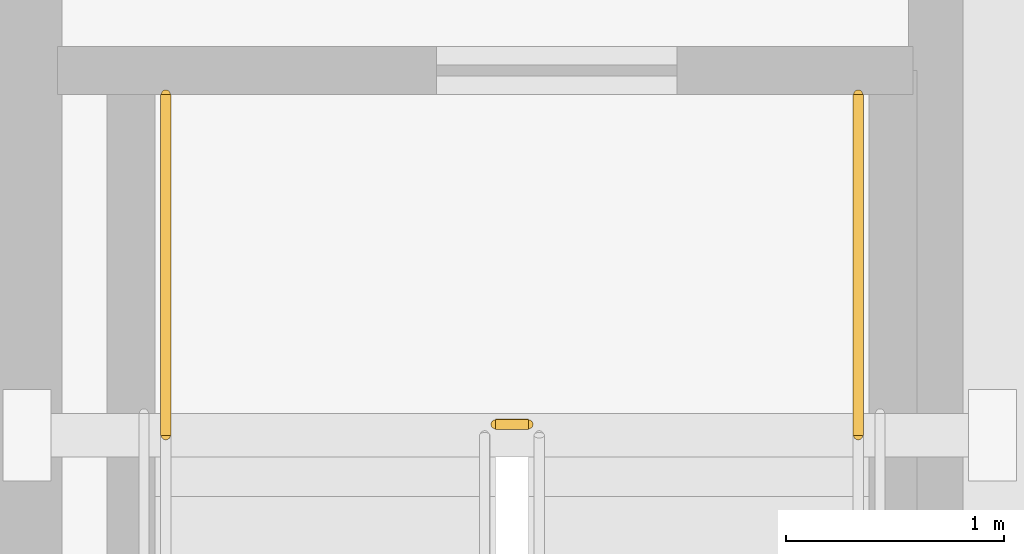
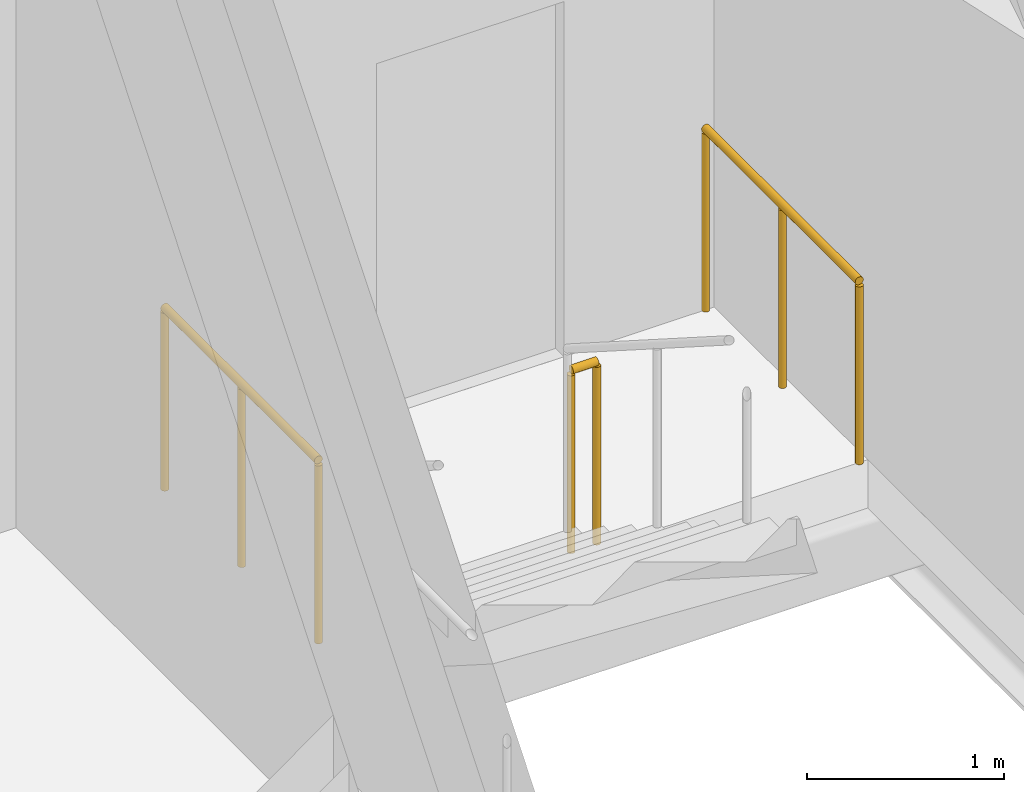
# One storey, part 28 of 32: 3 railings.
"""IFC4 building model written with IfcOpenShell, lengths in metres."""

from ifc_helpers import new_model, si_unit, direction, frame, origin, origin_2d, place, context, subcontext, project, spatial, circle, extrude, material, type_object, element, save


model = new_model("IFC4")

# Units and contexts
model_context = context("Model", 3, precision=1e-05, world=origin(), true_north=direction((0.0, 1.0)))
body_context = subcontext(model_context, "Body", "Model", "MODEL_VIEW")
ifc_project = project(units=[si_unit("LENGTHUNIT", "METRE"), si_unit("AREAUNIT", "SQUARE_METRE"), si_unit("VOLUMEUNIT", "CUBIC_METRE"), si_unit("PLANEANGLEUNIT", "RADIAN"), si_unit("MASSUNIT", "GRAM", prefix="KILO")], contexts=[model_context])

# Site, building, storey
site_placement = place(None, origin())
site = spatial("IfcSite", under=ifc_project, at=site_placement, CompositionType="ELEMENT")
building_placement = place(site_placement, origin())
building = spatial("IfcBuilding", under=site, at=building_placement, Name="Khairoan Windgate Tower", CompositionType="ELEMENT")
storey_placement = place(building_placement, frame((0.0, 0.0, 16.0)))
storey = spatial("IfcBuildingStorey", under=building, at=storey_placement, Name="L04", CompositionType="ELEMENT", Elevation=16.0)

# Railings
ifc_material = material(Name="Steel S355", Category="steel")
railing_type = type_object("IfcRailingType", Name="Stairwell Safety Guardrail SGR-1150", PredefinedType="GUARDRAIL", material=ifc_material)
railing_placement = place(storey_placement, frame((17.7099609375, -9.2099609375, 0.0)))
element("IfcRailing", 1, at=railing_placement, inside=storey, type_object=railing_type, Name="L04 ST1 stair guard 7", PredefinedType="GUARDRAIL", context=body_context, shape_type="SweptSolid", body=[
    extrude(circle(Radius=0.02392578125, at=origin_2d()), frame((0.0, 0.0, 1.1259765625), z_axis=(1.0, 0.0, 0.0), x_axis=(0.0, 1.0, 0.0)), (0.0, 0.0, 1.0), 0.150146484375),
    extrude(circle(Radius=0.02099609375, at=origin_2d()), origin(), (0.0, 0.0, 1.0), 1.101806640625),
    extrude(circle(Radius=0.02099609375, at=origin_2d()), frame((0.150146484375, 0.0, 0.0)), (0.0, 0.0, 1.0), 1.101806640625),
])
for number, where, name in (
    (2, (16.199951171875, -7.699951171875, 0.0), "L04 ST1 stair guard 8"),
    (3, (19.3701171875, -7.699951171875, 0.0), "L04 ST1 stair guard 9"),
):
    element("IfcRailing", number, at=place(storey_placement, frame(where)), inside=storey, type_object=railing_type, Name=name, PredefinedType="GUARDRAIL", context=body_context, shape_type="SweptSolid", body=[
        extrude(circle(Radius=0.02392578125, at=origin_2d()), frame((0.0, 0.0, 1.1259765625), z_axis=(0.0, -1.0, 0.0), x_axis=(1.0, 0.0, 0.0)), (0.0, 0.0, 1.0), 1.56005859375),
        extrude(circle(Radius=0.02099609375, at=origin_2d()), origin(), (0.0, 0.0, 1.0), 1.101806640625),
        extrude(circle(Radius=0.02099609375, at=origin_2d()), frame((0.0, -0.780029296875, 0.0)), (0.0, 0.0, 1.0), 1.101806640625),
        extrude(circle(Radius=0.02099609375, at=origin_2d()), frame((0.0, -1.56005859375, 0.0)), (0.0, 0.0, 1.0), 1.101806640625),
    ])

save(model, "model.ifc")
